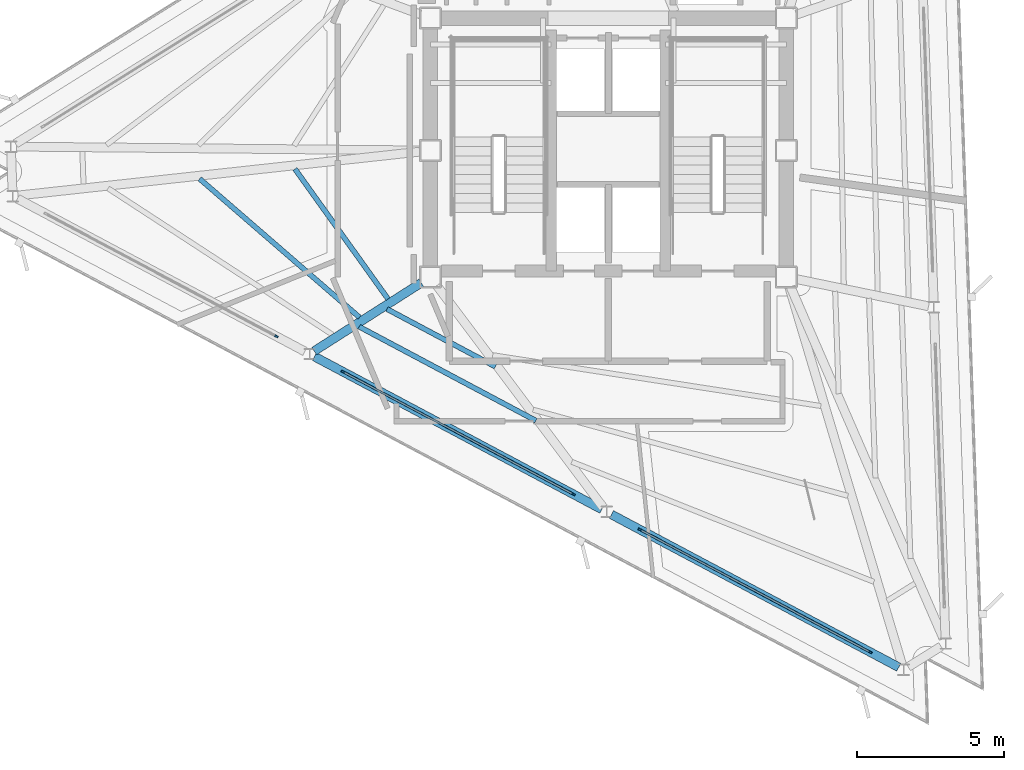
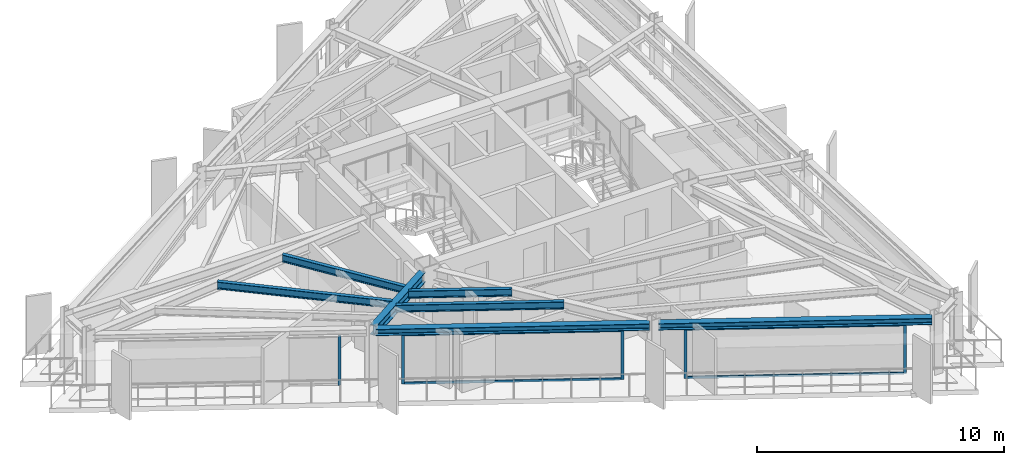
# One storey, part 2 of 13: 9 members, 7 beams, 3 elements without a shape of their own.
"""IFC4 building model written with IfcOpenShell, lengths in metres."""

from ifc_helpers import new_model, si_unit, direction, frame, origin, origin_2d, place, context, subcontext, project, spatial, rectangle, i_section, extrude, material, layer, layer_set, material_profile, profile_set, type_object, element, aggregate, save


model = new_model("IFC4")

# Units and contexts
model_context = context("Model", 3, precision=1e-05, world=origin(), true_north=direction((0.0, 1.0)))
body_context = subcontext(model_context, "Body", "Model", "MODEL_VIEW")
ifc_project = project(units=[si_unit("LENGTHUNIT", "METRE"), si_unit("AREAUNIT", "SQUARE_METRE"), si_unit("VOLUMEUNIT", "CUBIC_METRE"), si_unit("PLANEANGLEUNIT", "RADIAN"), si_unit("MASSUNIT", "GRAM", prefix="KILO")], contexts=[model_context])

# Site, building, storey
site_placement = place(None, origin())
site = spatial("IfcSite", under=ifc_project, at=site_placement, CompositionType="ELEMENT")
building_placement = place(site_placement, origin())
building = spatial("IfcBuilding", under=site, at=building_placement, Name="Rocaltana Carrier Exchange", CompositionType="ELEMENT")
storey_placement = place(building_placement, frame((0.0, 0.0, 202.719970703125)))
storey = spatial("IfcBuildingStorey", under=building, at=storey_placement, Name="L64", CompositionType="ELEMENT", Elevation=202.719970703125)

# Curtain wall, member
ifc_material_1 = material(Name="Aluminium 6063-T6", Category="aluminium")
ifc_layer = layer(ifc_material_1, 0.1201171875)
ifc_layer_set = layer_set([ifc_layer], Name="Aluminium 6063-T6")
curtain_wall_type = type_object("IfcCurtainWallType", Name="High-Altitude Thermal Curtain Wall CW-05", PredefinedType="NOTDEFINED", material=ifc_layer_set)
curtain_wall_1_placement = place(storey_placement, origin())
curtain_wall_1 = element("IfcCurtainWall", 1, at=curtain_wall_1_placement, inside=storey, type_object=curtain_wall_type, Name="L64 CW-05 Run CW-L64-F3S1", PredefinedType="NOTDEFINED")
ifc_material_2 = material(Name="Aluminium 6063-T6", Category="aluminium")
ifc_material_profile_1 = material_profile(ifc_material_2, rectangle(XDim=0.06005859375, YDim=0.1201171875, at=origin_2d()), Name="AL-60X120")
ifc_profile_set_1 = profile_set([ifc_material_profile_1], Name="Aluminium 6063-T6")
member_type_1 = type_object("IfcMemberType", Name="CW-05 Mullion AL-60X120", PredefinedType="MULLION", material=ifc_profile_set_1)
member_1_placement = place(storey_placement, frame((-11.282958984375, -6.31689453125, 0.0), z_axis=(0.0, 0.0, 1.0), x_axis=(0.469483388841, 0.882941304732, 0.0)))
member_1 = element("IfcMember", 2, at=member_1_placement, type_object=member_type_1, Name="CW-05 mullion 2", PredefinedType="MULLION", context=body_context, shape_type="SweptSolid", body=[
    extrude(rectangle(XDim=0.06005859375, YDim=0.1201171875, at=origin_2d()), origin(), (0.0, 0.0, 1.0), 2.447998046875),
])
aggregate(curtain_wall_1, [member_1])

# Curtain wall, members
curtain_wall_2_placement = place(storey_placement, origin())
curtain_wall_2 = element("IfcCurtainWall", 3, at=curtain_wall_2_placement, inside=storey, type_object=curtain_wall_type, Name="L64 CW-05 Run CW-L64-F3S2", PredefinedType="NOTDEFINED")
member_2_placement = place(storey_placement, frame((-9.0224609375, -7.5185546875, 0.0), z_axis=(0.0, 0.0, 1.0), x_axis=(0.469479302335, 0.882943477624, 0.0)))
member_2 = element("IfcMember", 4, at=member_2_placement, type_object=member_type_1, Name="CW-05 mullion 1", PredefinedType="MULLION", context=body_context, shape_type="SweptSolid", body=[
    extrude(rectangle(XDim=0.06005859375, YDim=0.1201171875, at=origin_2d()), origin(), (0.0, 0.0, 1.0), 2.447998046875),
])
member_3_placement = place(storey_placement, frame((-1.18798828125, -11.684326171875, 0.0), z_axis=(0.0, 0.0, 1.0), x_axis=(0.469479302335, 0.882943477624, 0.0)))
member_3 = element("IfcMember", 5, at=member_3_placement, type_object=member_type_1, Name="CW-05 mullion 2", PredefinedType="MULLION", context=body_context, shape_type="SweptSolid", body=[
    extrude(rectangle(XDim=0.06005859375, YDim=0.1201171875, at=origin_2d()), origin(), (0.0, 0.0, 1.0), 2.447998046875),
])

curtain_wall_3_placement = place(storey_placement, origin())
curtain_wall_3 = element("IfcCurtainWall", 6, at=curtain_wall_3_placement, inside=storey, type_object=curtain_wall_type, Name="L64 CW-05 Run CW-L64-F3S3", PredefinedType="NOTDEFINED")
member_4_placement = place(storey_placement, frame((1.072509765625, -12.88623046875, 0.0), z_axis=(0.0, 0.0, 1.0), x_axis=(0.469474662173, 0.882945944879, 0.0)))
member_4 = element("IfcMember", 7, at=member_4_placement, type_object=member_type_1, Name="CW-05 mullion 1", PredefinedType="MULLION", context=body_context, shape_type="SweptSolid", body=[
    extrude(rectangle(XDim=0.06005859375, YDim=0.1201171875, at=origin_2d()), origin(), (0.0, 0.0, 1.0), 2.447998046875),
])
member_5_placement = place(storey_placement, frame((8.9072265625, -17.052001953125, 0.0), z_axis=(0.0, 0.0, 1.0), x_axis=(0.469474662173, 0.882945944879, 0.0)))
member_5 = element("IfcMember", 8, at=member_5_placement, type_object=member_type_1, Name="CW-05 mullion 2", PredefinedType="MULLION", context=body_context, shape_type="SweptSolid", body=[
    extrude(rectangle(XDim=0.06005859375, YDim=0.1201171875, at=origin_2d()), origin(), (0.0, 0.0, 1.0), 2.447998046875),
])

# Member
ifc_material_3 = material(Name="Aluminium 6063-T6", Category="aluminium")
ifc_material_profile_2 = material_profile(ifc_material_3, rectangle(XDim=0.06005859375, YDim=0.1201171875, at=origin_2d()), Name="AL-60X120")
ifc_profile_set_2 = profile_set([ifc_material_profile_2], Name="Aluminium 6063-T6")
member_type_2 = type_object("IfcMemberType", Name="CW-05 Transom AL-60X120", PredefinedType="USERDEFINED", material=ifc_profile_set_2)
member_6_placement = place(storey_placement, frame((-8.99609375, -7.53271484375, 0.030029296875), z_axis=(0.882944221824, -0.469477902726, 0.0), x_axis=(0.469477902726, 0.882944221824, 0.0)))
member_6 = element("IfcMember", 9, at=member_6_placement, type_object=member_type_2, Name="CW-05 transom 1.1", ObjectType="TRANSOM", PredefinedType="USERDEFINED", context=body_context, shape_type="SweptSolid", body=[
    extrude(rectangle(XDim=0.06005859375, YDim=0.1201171875, at=origin_2d()), origin(), (0.0, 0.0, 1.0), 8.8134765625),
])

member_7_placement = place(storey_placement, frame((-8.99609375, -7.53271484375, 2.41796875), z_axis=(0.882944221824, -0.469477902726, 0.0), x_axis=(0.469477902726, 0.882944221824, 0.0)))
member_7 = element("IfcMember", 10, at=member_7_placement, type_object=member_type_2, Name="CW-05 transom 1.2", ObjectType="TRANSOM", PredefinedType="USERDEFINED", context=body_context, shape_type="SweptSolid", body=[
    extrude(rectangle(XDim=0.06005859375, YDim=0.1201171875, at=origin_2d()), origin(), (0.0, 0.0, 1.0), 8.8134765625),
])

aggregate(curtain_wall_2, [member_2, member_3, member_6, member_7])

member_8_placement = place(storey_placement, frame((1.098876953125, -12.900146484375, 0.030029296875), z_axis=(0.882944221824, -0.469477902726, 0.0), x_axis=(0.469477902726, 0.882944221824, 0.0)))
member_8 = element("IfcMember", 11, at=member_8_placement, type_object=member_type_2, Name="CW-05 transom 1.1", ObjectType="TRANSOM", PredefinedType="USERDEFINED", context=body_context, shape_type="SweptSolid", body=[
    extrude(rectangle(XDim=0.06005859375, YDim=0.1201171875, at=origin_2d()), origin(), (0.0, 0.0, 1.0), 8.8134765625),
])

member_9_placement = place(storey_placement, frame((1.098876953125, -12.900146484375, 2.41796875), z_axis=(0.882944221824, -0.469477902726, 0.0), x_axis=(0.469477902726, 0.882944221824, 0.0)))
member_9 = element("IfcMember", 12, at=member_9_placement, type_object=member_type_2, Name="CW-05 transom 1.2", ObjectType="TRANSOM", PredefinedType="USERDEFINED", context=body_context, shape_type="SweptSolid", body=[
    extrude(rectangle(XDim=0.06005859375, YDim=0.1201171875, at=origin_2d()), origin(), (0.0, 0.0, 1.0), 8.8134765625),
])

aggregate(curtain_wall_3, [member_4, member_5, member_8, member_9])

# Beams
ifc_material_4 = material(Name="Steel S355", Category="steel")
ifc_material_profile_3 = material_profile(ifc_material_4, i_section(OverallWidth=0.172119140625, OverallDepth=0.35791015625, WebThickness=0.0078125, FlangeThickness=0.01318359375, FilletRadius=0.011962890625, at=origin_2d()), Name="W14X38")
ifc_profile_set_3 = profile_set([ifc_material_profile_3], Name="Steel S355")
beam_type_1 = type_object("IfcBeamType", Name="Floor Joist W14X38", PredefinedType="JOIST", material=ifc_profile_set_3)
beam_1_placement = place(storey_placement, frame((-10.6513671875, -0.628662109375, 2.619140625), z_axis=(0.582177044628, -0.813062044809, 0.0), x_axis=(0.813062044809, 0.582177044628, 0.0)))
element("IfcBeam", 13, at=beam_1_placement, inside=storey, type_object=beam_type_1, Name="FJ-L64-09-1", PredefinedType="JOIST", context=body_context, shape_type="SweptSolid", body=[
    extrude(i_section(OverallWidth=0.172119140625, OverallDepth=0.35791015625, WebThickness=0.0078125, FlangeThickness=0.01318359375, FilletRadius=0.011962890625, at=origin_2d()), origin(), (0.0, 0.0, 1.0), 5.43408203125),
])
beam_2_placement = place(storey_placement, frame((-13.891845703125, -0.96240234375, 2.619140625), z_axis=(0.75579772027, -0.65480516647, 0.0), x_axis=(0.65480516647, 0.75579772027, 0.0)))
element("IfcBeam", 14, at=beam_2_placement, inside=storey, type_object=beam_type_1, Name="FJ-L64-09-2", PredefinedType="JOIST", context=body_context, shape_type="SweptSolid", body=[
    extrude(i_section(OverallWidth=0.172119140625, OverallDepth=0.35791015625, WebThickness=0.0078125, FlangeThickness=0.01318359375, FilletRadius=0.011962890625, at=origin_2d()), origin(), (0.0, 0.0, 1.0), 7.19189453125),
])
beam_3_placement = place(storey_placement, frame((-7.52294921875, -5.388427734375, 2.619140625), z_axis=(0.882943632654, -0.469479010773, 0.0), x_axis=(0.469479010773, 0.882943632654, 0.0)))
element("IfcBeam", 15, at=beam_3_placement, inside=storey, type_object=beam_type_1, Name="FJ-L64-10-1", PredefinedType="JOIST", context=body_context, shape_type="SweptSolid", body=[
    extrude(i_section(OverallWidth=0.172119140625, OverallDepth=0.35791015625, WebThickness=0.0078125, FlangeThickness=0.01318359375, FilletRadius=0.011962890625, at=origin_2d()), origin(), (0.0, 0.0, 1.0), 4.171142578125),
])
beam_4_placement = place(storey_placement, frame((-8.466552734375, -5.990478515625, 2.619140625), z_axis=(0.882938567036, -0.469488537496, 0.0), x_axis=(0.469488537496, 0.882938567036, 0.0)))
element("IfcBeam", 16, at=beam_4_placement, inside=storey, type_object=beam_type_1, Name="FJ-L64-10-2", PredefinedType="JOIST", context=body_context, shape_type="SweptSolid", body=[
    extrude(i_section(OverallWidth=0.172119140625, OverallDepth=0.35791015625, WebThickness=0.0078125, FlangeThickness=0.01318359375, FilletRadius=0.011962890625, at=origin_2d()), origin(), (0.0, 0.0, 1.0), 6.80078125),
])
ifc_material_5 = material(Name="Steel S355", Category="steel")
ifc_material_profile_4 = material_profile(ifc_material_5, i_section(OverallWidth=0.300048828125, OverallDepth=0.320068359375, WebThickness=0.011474609375, FlangeThickness=0.0205078125, FilletRadius=0.027099609375, at=origin_2d()), Name="HEB320")
ifc_profile_set_4 = profile_set([ifc_material_profile_4], Name="Steel S355")
beam_type_2 = type_object("IfcBeamType", Name="Spandrel Edge Beam HEB320", PredefinedType="SPANDREL", material=ifc_profile_set_4)
beam_5_placement = place(storey_placement, frame((-9.989013671875, -7.0048828125, 2.637939453125), z_axis=(0.882953364768, -0.469460707242, 0.0), x_axis=(0.469460707242, 0.882953364768, 0.0)))
element("IfcBeam", 17, at=beam_5_placement, inside=storey, type_object=beam_type_2, Name="SP-L64-10", PredefinedType="SPANDREL", context=body_context, shape_type="SweptSolid", body=[
    extrude(i_section(OverallWidth=0.300048828125, OverallDepth=0.320068359375, WebThickness=0.011474609375, FlangeThickness=0.0205078125, FilletRadius=0.027099609375, at=origin_2d()), origin(), (0.0, 0.0, 1.0), 11.0625),
])
beam_6_placement = place(storey_placement, frame((0.106201171875, -12.372314453125, 2.637939453125), z_axis=(0.882939352256, -0.469487060778, 0.0), x_axis=(0.469487060778, 0.882939352256, 0.0)))
element("IfcBeam", 18, at=beam_6_placement, inside=storey, type_object=beam_type_2, Name="SP-L64-11", PredefinedType="SPANDREL", context=body_context, shape_type="SweptSolid", body=[
    extrude(i_section(OverallWidth=0.300048828125, OverallDepth=0.320068359375, WebThickness=0.011474609375, FlangeThickness=0.0205078125, FilletRadius=0.027099609375, at=origin_2d()), origin(), (0.0, 0.0, 1.0), 11.062255859375),
])
ifc_material_6 = material(Name="Steel S355", Category="steel")
ifc_material_profile_5 = material_profile(ifc_material_6, i_section(OverallWidth=0.300048828125, OverallDepth=0.5, WebThickness=0.014404296875, FlangeThickness=0.028076171875, FilletRadius=0.027099609375, at=origin_2d()), Name="HEB500")
ifc_profile_set_5 = profile_set([ifc_material_profile_5], Name="Steel S355")
beam_type_3 = type_object("IfcBeamType", Name="Upper Radial Girder HEB500", PredefinedType="BEAM", material=ifc_profile_set_5)
beam_7_placement = place(storey_placement, frame((-6.359375, -4.497314453125, 2.548095703125), z_axis=(-0.843017756358, -0.53788573365, 0.0), x_axis=(0.53788573365, -0.843017756358, 0.0)))
element("IfcBeam", 19, at=beam_7_placement, inside=storey, type_object=beam_type_3, Name="RG-L64-10", PredefinedType="BEAM", context=body_context, shape_type="SweptSolid", body=[
    extrude(i_section(OverallWidth=0.300048828125, OverallDepth=0.5, WebThickness=0.014404296875, FlangeThickness=0.028076171875, FilletRadius=0.027099609375, at=origin_2d()), origin(), (0.0, 0.0, 1.0), 4.314208984375),
])

save(model, "model.ifc")
